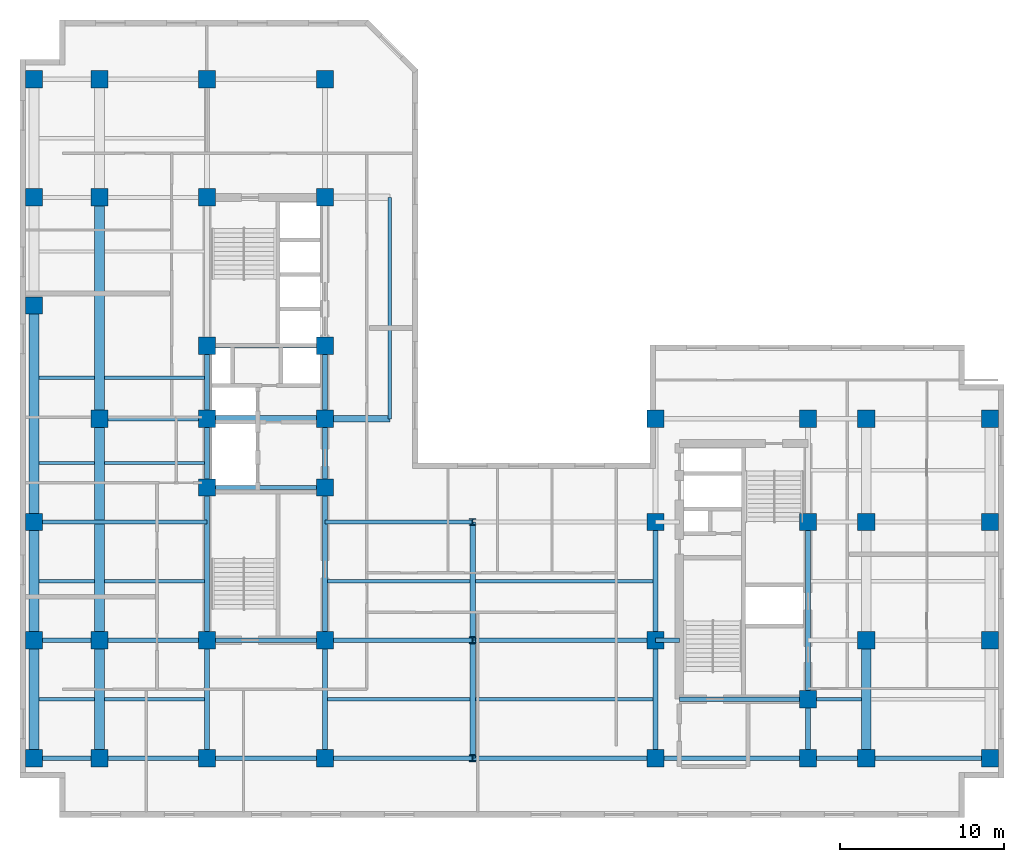
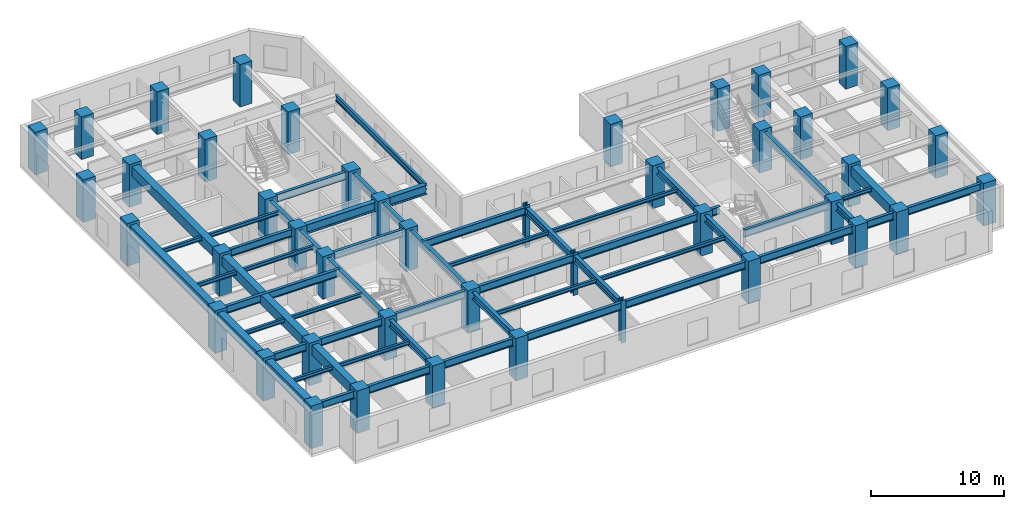
# One storey, part 1 of 10: 56 beams, 44 columns.
"""IFC4 building model written with IfcOpenShell, lengths in metres."""

from ifc_helpers import new_model, entity, si_unit, converted_unit, direction, frame, origin_with_axes, origin_2d_with_axis, place, context, subcontext, project, spatial, rectangle, i_section, extrude, material, material_profile, profile_set, type_object, element, save


model = new_model("IFC4")

# Units and contexts
model_context = context("Model", 3, precision=1e-05, world=origin_with_axes(), true_north=direction((0.0, 1.0)))
body_context = subcontext(model_context, "Body", "Model", "MODEL_VIEW")
ifc_project = project(units=[si_unit("LENGTHUNIT", "METRE"), si_unit("AREAUNIT", "SQUARE_METRE"), si_unit("VOLUMEUNIT", "CUBIC_METRE"), converted_unit("PLANEANGLEUNIT", "DEGREE", entity("IfcPlaneAngleMeasure", 0.017453292519943295), si_unit("PLANEANGLEUNIT", "RADIAN"), dimensions=[0, 0, 0, 0, 0, 0, 0]), si_unit("MASSUNIT", "GRAM", prefix="KILO"), si_unit("THERMODYNAMICTEMPERATUREUNIT", "KELVIN")], contexts=[model_context])

# Site, building, storey
site_placement = place(None, origin_with_axes())
site = spatial("IfcSite", under=ifc_project, at=site_placement, CompositionType="ELEMENT")
building_placement = place(site_placement, origin_with_axes())
building = spatial("IfcBuilding", under=site, at=building_placement, Name="Varnlund Millrace Tower", CompositionType="ELEMENT")
storey_placement = place(building_placement, frame((0.0, 0.0, 168.0), z_axis=(0.0, 0.0, 1.0), x_axis=(1.0, 0.0, 0.0)))
storey = spatial("IfcBuildingStorey", under=building, at=storey_placement, Name="L41", CompositionType="ELEMENT", Elevation=168.0)

# Columns
ifc_material_1 = material(Name="Steel ASTM A913 Grade 65", Category="steel")
ifc_material_profile_1 = material_profile(ifc_material_1, i_section(OverallWidth=0.406, OverallDepth=0.416, WebThickness=0.0298, FlangeThickness=0.048, FilletRadius=0.022, at=origin_2d_with_axis()), Name="Steel ASTM A913 Grade 65")
ifc_profile_set_1 = profile_set([ifc_material_profile_1], Name="Steel ASTM A913 Grade 65")
column_type_1 = type_object("IfcColumnType", Name="Type-Col-Int-W14X257", PredefinedType="COLUMN", material=ifc_profile_set_1)
for number, where, z_axis, x_axis, name in (
    (1, (27.6, 3.6, 0.0), (0.0, 0.0, 1.0), (1.0, 0.0, 0.0), "Type-Col-Int-W14X257"),
    (2, (27.6, 10.8, 0.0), (0.0, 0.0, 1.0), (1.0, 0.0, 0.0), "Type-Col-Int-W14X257"),
    (3, (27.6, 18.0, 0.0), (0.0, 0.0, 1.0), (1.0, 0.0, 0.0), "Type-Col-Int-W14X257"),
):
    element("IfcColumn", number, at=place(storey_placement, frame(where, z_axis=z_axis, x_axis=x_axis)), inside=storey, type_object=column_type_1, Name=name, PredefinedType="COLUMN", context=body_context, shape_type="SweptSolid", body=[
        extrude(i_section(OverallWidth=0.406, OverallDepth=0.416, WebThickness=0.0298, FlangeThickness=0.048, FilletRadius=0.022, at=origin_2d_with_axis()), origin_with_axes(), (0.0, 0.0, 1.0), 3.9),
    ])
ifc_material_2 = material(Name="Concrete C70/85", Category="concrete")
ifc_material_profile_2 = material_profile(ifc_material_2, rectangle(XDim=1.05, YDim=1.05, at=origin_2d_with_axis()), Name="Concrete C70/85")
ifc_profile_set_2 = profile_set([ifc_material_profile_2], Name="Concrete C70/85")
column_type_2 = type_object("IfcColumnType", Name="Type-Col-RC1050-C70", PredefinedType="COLUMN", material=ifc_profile_set_2)
for number, where, z_axis, x_axis, name in (
    (4, (11.4, 3.6, 0.0), (0.0, 0.0, 1.0), (1.0, 0.0, 0.0), "Type-Col-RC1050-C70"),
    (5, (11.4, 10.8, 0.0), (0.0, 0.0, 1.0), (1.0, 0.0, 0.0), "Type-Col-RC1050-C70"),
    (6, (11.4, 20.1, 0.0), (0.0, 0.0, 1.0), (1.0, 0.0, 0.0), "Type-Col-RC1050-C70"),
    (7, (11.4, 24.3, 0.0), (0.0, 0.0, 1.0), (1.0, 0.0, 0.0), "Type-Col-RC1050-C70"),
    (8, (11.4, 28.75, 0.0), (0.0, 0.0, 1.0), (1.0, 0.0, 0.0), "Type-Col-RC1050-C70"),
    (9, (11.4, 37.8, 0.0), (0.0, 0.0, 1.0), (1.0, 0.0, 0.0), "Type-Col-RC1050-C70"),
    (10, (11.4, 45.0, 0.0), (0.0, 0.0, 1.0), (1.0, 0.0, 0.0), "Type-Col-RC1050-C70"),
    (11, (18.6, 3.6, 0.0), (0.0, 0.0, 1.0), (1.0, 0.0, 0.0), "Type-Col-RC1050-C70"),
    (12, (18.6, 10.8, 0.0), (0.0, 0.0, 1.0), (1.0, 0.0, 0.0), "Type-Col-RC1050-C70"),
    (13, (18.6, 20.1, 0.0), (0.0, 0.0, 1.0), (1.0, 0.0, 0.0), "Type-Col-RC1050-C70"),
    (14, (18.6, 24.3, 0.0), (0.0, 0.0, 1.0), (1.0, 0.0, 0.0), "Type-Col-RC1050-C70"),
    (15, (18.6, 28.75, 0.0), (0.0, 0.0, 1.0), (1.0, 0.0, 0.0), "Type-Col-RC1050-C70"),
    (16, (18.6, 37.8, 0.0), (0.0, 0.0, 1.0), (1.0, 0.0, 0.0), "Type-Col-RC1050-C70"),
    (17, (18.6, 45.0, 0.0), (0.0, 0.0, 1.0), (1.0, 0.0, 0.0), "Type-Col-RC1050-C70"),
    (18, (4.85, 3.6, 0.0), (0.0, 0.0, 1.0), (1.0, 0.0, 0.0), "Type-Col-RC1050-C70"),
    (19, (4.85, 10.8, 0.0), (0.0, 0.0, 1.0), (1.0, 0.0, 0.0), "Type-Col-RC1050-C70"),
    (20, (4.85, 24.3, 0.0), (0.0, 0.0, 1.0), (1.0, 0.0, 0.0), "Type-Col-RC1050-C70"),
    (21, (4.85, 37.8, 0.0), (0.0, 0.0, 1.0), (1.0, 0.0, 0.0), "Type-Col-RC1050-C70"),
    (22, (4.85, 45.0, 0.0), (0.0, 0.0, 1.0), (1.0, 0.0, 0.0), "Type-Col-RC1050-C70"),
    (23, (0.85, 3.6, 0.0), (0.0, 0.0, 1.0), (1.0, 0.0, 0.0), "Type-Col-RC1050-C70"),
    (24, (0.85, 10.8, 0.0), (0.0, 0.0, 1.0), (1.0, 0.0, 0.0), "Type-Col-RC1050-C70"),
    (25, (0.85, 18.0, 0.0), (0.0, 0.0, 1.0), (1.0, 0.0, 0.0), "Type-Col-RC1050-C70"),
    (26, (0.85, 31.2, 0.0), (0.0, 0.0, 1.0), (1.0, 0.0, 0.0), "Type-Col-RC1050-C70"),
    (27, (0.85, 37.8, 0.0), (0.0, 0.0, 1.0), (1.0, 0.0, 0.0), "Type-Col-RC1050-C70"),
    (28, (0.85, 45.0, 0.0), (0.0, 0.0, 1.0), (1.0, 0.0, 0.0), "Type-Col-RC1050-C70"),
    (29, (38.75, 3.6, 0.0), (0.0, 0.0, 1.0), (1.0, 0.0, 0.0), "Type-Col-RC1050-C70"),
    (30, (38.75, 10.8, 0.0), (0.0, 0.0, 1.0), (1.0, 0.0, 0.0), "Type-Col-RC1050-C70"),
    (31, (38.75, 18.0, 0.0), (0.0, 0.0, 1.0), (1.0, 0.0, 0.0), "Type-Col-RC1050-C70"),
    (32, (38.75, 24.3, 0.0), (0.0, 0.0, 1.0), (1.0, 0.0, 0.0), "Type-Col-RC1050-C70"),
    (33, (48.05, 3.6, 0.0), (0.0, 0.0, 1.0), (1.0, 0.0, 0.0), "Type-Col-RC1050-C70"),
    (34, (48.05, 7.2, 0.0), (0.0, 0.0, 1.0), (1.0, 0.0, 0.0), "Type-Col-RC1050-C70"),
    (35, (48.05, 18.0, 0.0), (0.0, 0.0, 1.0), (1.0, 0.0, 0.0), "Type-Col-RC1050-C70"),
    (36, (48.05, 24.3, 0.0), (0.0, 0.0, 1.0), (1.0, 0.0, 0.0), "Type-Col-RC1050-C70"),
    (37, (51.6, 3.6, 0.0), (0.0, 0.0, 1.0), (1.0, 0.0, 0.0), "Type-Col-RC1050-C70"),
    (38, (51.6, 10.8, 0.0), (0.0, 0.0, 1.0), (1.0, 0.0, 0.0), "Type-Col-RC1050-C70"),
    (39, (51.6, 18.0, 0.0), (0.0, 0.0, 1.0), (1.0, 0.0, 0.0), "Type-Col-RC1050-C70"),
    (40, (51.6, 24.3, 0.0), (0.0, 0.0, 1.0), (1.0, 0.0, 0.0), "Type-Col-RC1050-C70"),
    (41, (59.15, 3.6, 0.0), (0.0, 0.0, 1.0), (1.0, 0.0, 0.0), "Type-Col-RC1050-C70"),
    (42, (59.15, 10.8, 0.0), (0.0, 0.0, 1.0), (1.0, 0.0, 0.0), "Type-Col-RC1050-C70"),
    (43, (59.15, 18.0, 0.0), (0.0, 0.0, 1.0), (1.0, 0.0, 0.0), "Type-Col-RC1050-C70"),
    (44, (59.15, 24.3, 0.0), (0.0, 0.0, 1.0), (1.0, 0.0, 0.0), "Type-Col-RC1050-C70"),
):
    element("IfcColumn", number, at=place(storey_placement, frame(where, z_axis=z_axis, x_axis=x_axis)), inside=storey, type_object=column_type_2, Name=name, PredefinedType="COLUMN", context=body_context, shape_type="SweptSolid", body=[
        extrude(rectangle(XDim=1.05, YDim=1.05, at=origin_2d_with_axis()), origin_with_axes(), (0.0, 0.0, 1.0), 3.9),
    ])

# Beams
ifc_material_3 = material(Name="Steel ASTM A992 Grade 50", Category="steel")
ifc_material_profile_3 = material_profile(ifc_material_3, i_section(OverallWidth=0.209, OverallDepth=0.533, WebThickness=0.0102, FlangeThickness=0.0156, FilletRadius=0.014, at=origin_2d_with_axis()), Name="Steel ASTM A992 Grade 50")
ifc_profile_set_3 = profile_set([ifc_material_profile_3], Name="Steel ASTM A992 Grade 50")
beam_type_1 = type_object("IfcBeamType", Name="Type-Beam-W21X62", PredefinedType="BEAM", material=ifc_profile_set_3)
beam_1_placement = place(storey_placement, frame((22.55, 24.3, 3.3935), z_axis=(0.0, 1.0, 0.0), x_axis=(-1.0, 0.0, 0.0)))
element("IfcBeam", 45, at=beam_1_placement, inside=storey, type_object=beam_type_1, Name="Type-Beam-W21X62", PredefinedType="BEAM", context=body_context, shape_type="SweptSolid", body=[
    extrude(i_section(OverallWidth=0.209, OverallDepth=0.533, WebThickness=0.0102, FlangeThickness=0.0156, FilletRadius=0.014, at=origin_2d_with_axis()), origin_with_axes(), (0.0, 0.0, 1.0), 13.5),
])
ifc_material_profile_4 = material_profile(ifc_material_3, i_section(OverallWidth=0.328, OverallDepth=0.628, WebThickness=0.0165, FlangeThickness=0.0277, FilletRadius=0.018, at=origin_2d_with_axis()), Name="Steel ASTM A992 Grade 50")
ifc_profile_set_4 = profile_set([ifc_material_profile_4], Name="Steel ASTM A992 Grade 50")
beam_type_2 = type_object("IfcBeamType", Name="Type-Girder-W24X146", PredefinedType="USERDEFINED", material=ifc_profile_set_4)
beam_2_placement = place(storey_placement, frame((11.4, 3.6, 3.346), z_axis=(0.0, 1.0, 0.0), x_axis=(-1.0, 0.0, 0.0)))
element("IfcBeam", 46, at=beam_2_placement, inside=storey, type_object=beam_type_2, Name="Type-Girder-W24X146", ObjectType="GIRDER", PredefinedType="USERDEFINED", context=body_context, shape_type="SweptSolid", body=[
    extrude(i_section(OverallWidth=0.328, OverallDepth=0.628, WebThickness=0.0165, FlangeThickness=0.0277, FilletRadius=0.018, at=origin_2d_with_axis()), origin_with_axes(), (0.0, 0.0, 1.0), 7.2),
])
beam_3_placement = place(storey_placement, frame((11.4, 10.8, 3.346), z_axis=(0.0, 1.0, 0.0), x_axis=(-1.0, 0.0, 0.0)))
element("IfcBeam", 47, at=beam_3_placement, inside=storey, type_object=beam_type_2, Name="Type-Girder-W24X146", ObjectType="GIRDER", PredefinedType="USERDEFINED", context=body_context, shape_type="SweptSolid", body=[
    extrude(i_section(OverallWidth=0.328, OverallDepth=0.628, WebThickness=0.0165, FlangeThickness=0.0277, FilletRadius=0.018, at=origin_2d_with_axis()), origin_with_axes(), (0.0, 0.0, 1.0), 9.3),
])
beam_4_placement = place(storey_placement, frame((11.4, 20.1, 3.346), z_axis=(0.0, 1.0, 0.0), x_axis=(-1.0, 0.0, 0.0)))
element("IfcBeam", 48, at=beam_4_placement, inside=storey, type_object=beam_type_2, Name="Type-Girder-W24X146", ObjectType="GIRDER", PredefinedType="USERDEFINED", context=body_context, shape_type="SweptSolid", body=[
    extrude(i_section(OverallWidth=0.328, OverallDepth=0.628, WebThickness=0.0165, FlangeThickness=0.0277, FilletRadius=0.018, at=origin_2d_with_axis()), origin_with_axes(), (0.0, 0.0, 1.0), 4.2),
])
beam_5_placement = place(storey_placement, frame((11.4, 24.3, 3.346), z_axis=(0.0, 1.0, 0.0), x_axis=(-1.0, 0.0, 0.0)))
element("IfcBeam", 49, at=beam_5_placement, inside=storey, type_object=beam_type_2, Name="Type-Girder-W24X146", ObjectType="GIRDER", PredefinedType="USERDEFINED", context=body_context, shape_type="SweptSolid", body=[
    extrude(i_section(OverallWidth=0.328, OverallDepth=0.628, WebThickness=0.0165, FlangeThickness=0.0277, FilletRadius=0.018, at=origin_2d_with_axis()), origin_with_axes(), (0.0, 0.0, 1.0), 4.45),
])
beam_6_placement = place(storey_placement, frame((18.6, 3.6, 3.346), z_axis=(0.0, 1.0, 0.0), x_axis=(-1.0, 0.0, 0.0)))
element("IfcBeam", 50, at=beam_6_placement, inside=storey, type_object=beam_type_2, Name="Type-Girder-W24X146", ObjectType="GIRDER", PredefinedType="USERDEFINED", context=body_context, shape_type="SweptSolid", body=[
    extrude(i_section(OverallWidth=0.328, OverallDepth=0.628, WebThickness=0.0165, FlangeThickness=0.0277, FilletRadius=0.018, at=origin_2d_with_axis()), origin_with_axes(), (0.0, 0.0, 1.0), 7.2),
])
beam_7_placement = place(storey_placement, frame((18.6, 10.8, 3.346), z_axis=(0.0, 1.0, 0.0), x_axis=(-1.0, 0.0, 0.0)))
element("IfcBeam", 51, at=beam_7_placement, inside=storey, type_object=beam_type_2, Name="Type-Girder-W24X146", ObjectType="GIRDER", PredefinedType="USERDEFINED", context=body_context, shape_type="SweptSolid", body=[
    extrude(i_section(OverallWidth=0.328, OverallDepth=0.628, WebThickness=0.0165, FlangeThickness=0.0277, FilletRadius=0.018, at=origin_2d_with_axis()), origin_with_axes(), (0.0, 0.0, 1.0), 9.3),
])
beam_8_placement = place(storey_placement, frame((18.6, 20.1, 3.346), z_axis=(0.0, 1.0, 0.0), x_axis=(-1.0, 0.0, 0.0)))
element("IfcBeam", 52, at=beam_8_placement, inside=storey, type_object=beam_type_2, Name="Type-Girder-W24X146", ObjectType="GIRDER", PredefinedType="USERDEFINED", context=body_context, shape_type="SweptSolid", body=[
    extrude(i_section(OverallWidth=0.328, OverallDepth=0.628, WebThickness=0.0165, FlangeThickness=0.0277, FilletRadius=0.018, at=origin_2d_with_axis()), origin_with_axes(), (0.0, 0.0, 1.0), 4.2),
])
beam_9_placement = place(storey_placement, frame((18.6, 24.3, 3.346), z_axis=(0.0, 1.0, 0.0), x_axis=(-1.0, 0.0, 0.0)))
element("IfcBeam", 53, at=beam_9_placement, inside=storey, type_object=beam_type_2, Name="Type-Girder-W24X146", ObjectType="GIRDER", PredefinedType="USERDEFINED", context=body_context, shape_type="SweptSolid", body=[
    extrude(i_section(OverallWidth=0.328, OverallDepth=0.628, WebThickness=0.0165, FlangeThickness=0.0277, FilletRadius=0.018, at=origin_2d_with_axis()), origin_with_axes(), (0.0, 0.0, 1.0), 4.45),
])
for number, where, z_axis, x_axis, name in (
    (54, (27.6, 3.6, 3.346), (0.0, 1.0, 0.0), (-1.0, 0.0, 0.0), "Type-Girder-W24X146"),
    (55, (27.6, 10.8, 3.346), (0.0, 1.0, 0.0), (-1.0, 0.0, 0.0), "Type-Girder-W24X146"),
    (56, (38.75, 3.6, 3.346), (0.0, 1.0, 0.0), (-1.0, 0.0, 0.0), "Type-Girder-W24X146"),
    (57, (38.75, 10.8, 3.346), (0.0, 1.0, 0.0), (-1.0, 0.0, 0.0), "Type-Girder-W24X146"),
):
    element("IfcBeam", number, at=place(storey_placement, frame(where, z_axis=z_axis, x_axis=x_axis)), inside=storey, type_object=beam_type_2, Name=name, ObjectType="GIRDER", PredefinedType="USERDEFINED", context=body_context, shape_type="SweptSolid", body=[
        extrude(i_section(OverallWidth=0.328, OverallDepth=0.628, WebThickness=0.0165, FlangeThickness=0.0277, FilletRadius=0.018, at=origin_2d_with_axis()), origin_with_axes(), (0.0, 0.0, 1.0), 7.2),
    ])
beam_10_placement = place(storey_placement, frame((48.05, 3.6, 3.346), z_axis=(0.0, 1.0, 0.0), x_axis=(-1.0, 0.0, 0.0)))
element("IfcBeam", 58, at=beam_10_placement, inside=storey, type_object=beam_type_2, Name="Type-Girder-W24X146", ObjectType="GIRDER", PredefinedType="USERDEFINED", context=body_context, shape_type="SweptSolid", body=[
    extrude(i_section(OverallWidth=0.328, OverallDepth=0.628, WebThickness=0.0165, FlangeThickness=0.0277, FilletRadius=0.018, at=origin_2d_with_axis()), origin_with_axes(), (0.0, 0.0, 1.0), 3.6),
])
beam_11_placement = place(storey_placement, frame((48.05, 7.2, 3.346), z_axis=(0.0, 1.0, 0.0), x_axis=(-1.0, 0.0, 0.0)))
element("IfcBeam", 59, at=beam_11_placement, inside=storey, type_object=beam_type_2, Name="Type-Girder-W24X146", ObjectType="GIRDER", PredefinedType="USERDEFINED", context=body_context, shape_type="SweptSolid", body=[
    extrude(i_section(OverallWidth=0.328, OverallDepth=0.628, WebThickness=0.0165, FlangeThickness=0.0277, FilletRadius=0.018, at=origin_2d_with_axis()), origin_with_axes(), (0.0, 0.0, 1.0), 10.8),
])
ifc_material_profile_5 = material_profile(ifc_material_3, i_section(OverallWidth=0.256, OverallDepth=0.693, WebThickness=0.0145, FlangeThickness=0.0236, FilletRadius=0.018, at=origin_2d_with_axis()), Name="Steel ASTM A992 Grade 50")
ifc_profile_set_5 = profile_set([ifc_material_profile_5], Name="Steel ASTM A992 Grade 50")
beam_type_3 = type_object("IfcBeamType", Name="Type-Girder-W27X114", PredefinedType="USERDEFINED", material=ifc_profile_set_5)
beam_12_placement = place(storey_placement, frame((0.85, 3.6, 3.3135), z_axis=(1.0, 0.0, 0.0), x_axis=(0.0, 1.0, 0.0)))
element("IfcBeam", 60, at=beam_12_placement, inside=storey, type_object=beam_type_3, Name="Type-Girder-W27X114", ObjectType="GIRDER", PredefinedType="USERDEFINED", context=body_context, shape_type="SweptSolid", body=[
    extrude(i_section(OverallWidth=0.256, OverallDepth=0.693, WebThickness=0.0145, FlangeThickness=0.0236, FilletRadius=0.018, at=origin_2d_with_axis()), origin_with_axes(), (0.0, 0.0, 1.0), 4.0),
])
beam_13_placement = place(storey_placement, frame((4.85, 3.6, 3.3135), z_axis=(1.0, 0.0, 0.0), x_axis=(0.0, 1.0, 0.0)))
element("IfcBeam", 61, at=beam_13_placement, inside=storey, type_object=beam_type_3, Name="Type-Girder-W27X114", ObjectType="GIRDER", PredefinedType="USERDEFINED", context=body_context, shape_type="SweptSolid", body=[
    extrude(i_section(OverallWidth=0.256, OverallDepth=0.693, WebThickness=0.0145, FlangeThickness=0.0236, FilletRadius=0.018, at=origin_2d_with_axis()), origin_with_axes(), (0.0, 0.0, 1.0), 6.55),
])
beam_14_placement = place(storey_placement, frame((11.4, 3.6, 3.3135), z_axis=(1.0, 0.0, 0.0), x_axis=(0.0, 1.0, 0.0)))
element("IfcBeam", 62, at=beam_14_placement, inside=storey, type_object=beam_type_3, Name="Type-Girder-W27X114", ObjectType="GIRDER", PredefinedType="USERDEFINED", context=body_context, shape_type="SweptSolid", body=[
    extrude(i_section(OverallWidth=0.256, OverallDepth=0.693, WebThickness=0.0145, FlangeThickness=0.0236, FilletRadius=0.018, at=origin_2d_with_axis()), origin_with_axes(), (0.0, 0.0, 1.0), 7.2),
])
beam_15_placement = place(storey_placement, frame((18.6, 3.6, 3.3135), z_axis=(1.0, 0.0, 0.0), x_axis=(0.0, 1.0, 0.0)))
element("IfcBeam", 63, at=beam_15_placement, inside=storey, type_object=beam_type_3, Name="Type-Girder-W27X114", ObjectType="GIRDER", PredefinedType="USERDEFINED", context=body_context, shape_type="SweptSolid", body=[
    extrude(i_section(OverallWidth=0.256, OverallDepth=0.693, WebThickness=0.0145, FlangeThickness=0.0236, FilletRadius=0.018, at=origin_2d_with_axis()), origin_with_axes(), (0.0, 0.0, 1.0), 9.0),
])
beam_16_placement = place(storey_placement, frame((27.6, 3.6, 3.3135), z_axis=(1.0, 0.0, 0.0), x_axis=(0.0, 1.0, 0.0)))
element("IfcBeam", 64, at=beam_16_placement, inside=storey, type_object=beam_type_3, Name="Type-Girder-W27X114", ObjectType="GIRDER", PredefinedType="USERDEFINED", context=body_context, shape_type="SweptSolid", body=[
    extrude(i_section(OverallWidth=0.256, OverallDepth=0.693, WebThickness=0.0145, FlangeThickness=0.0236, FilletRadius=0.018, at=origin_2d_with_axis()), origin_with_axes(), (0.0, 0.0, 1.0), 11.15),
])
beam_17_placement = place(storey_placement, frame((38.75, 3.6, 3.3135), z_axis=(1.0, 0.0, 0.0), x_axis=(0.0, 1.0, 0.0)))
element("IfcBeam", 65, at=beam_17_placement, inside=storey, type_object=beam_type_3, Name="Type-Girder-W27X114", ObjectType="GIRDER", PredefinedType="USERDEFINED", context=body_context, shape_type="SweptSolid", body=[
    extrude(i_section(OverallWidth=0.256, OverallDepth=0.693, WebThickness=0.0145, FlangeThickness=0.0236, FilletRadius=0.018, at=origin_2d_with_axis()), origin_with_axes(), (0.0, 0.0, 1.0), 9.3),
])
beam_18_placement = place(storey_placement, frame((48.05, 3.6, 3.3135), z_axis=(1.0, 0.0, 0.0), x_axis=(0.0, 1.0, 0.0)))
element("IfcBeam", 66, at=beam_18_placement, inside=storey, type_object=beam_type_3, Name="Type-Girder-W27X114", ObjectType="GIRDER", PredefinedType="USERDEFINED", context=body_context, shape_type="SweptSolid", body=[
    extrude(i_section(OverallWidth=0.256, OverallDepth=0.693, WebThickness=0.0145, FlangeThickness=0.0236, FilletRadius=0.018, at=origin_2d_with_axis()), origin_with_axes(), (0.0, 0.0, 1.0), 3.55),
])
beam_19_placement = place(storey_placement, frame((51.6, 3.6, 3.3135), z_axis=(1.0, 0.0, 0.0), x_axis=(0.0, 1.0, 0.0)))
element("IfcBeam", 67, at=beam_19_placement, inside=storey, type_object=beam_type_3, Name="Type-Girder-W27X114", ObjectType="GIRDER", PredefinedType="USERDEFINED", context=body_context, shape_type="SweptSolid", body=[
    extrude(i_section(OverallWidth=0.256, OverallDepth=0.693, WebThickness=0.0145, FlangeThickness=0.0236, FilletRadius=0.018, at=origin_2d_with_axis()), origin_with_axes(), (0.0, 0.0, 1.0), 7.55),
])
beam_20_placement = place(storey_placement, frame((40.2, 7.2, 3.3135), z_axis=(1.0, 0.0, 0.0), x_axis=(0.0, 1.0, 0.0)))
element("IfcBeam", 68, at=beam_20_placement, inside=storey, type_object=beam_type_3, Name="Type-Girder-W27X114", ObjectType="GIRDER", PredefinedType="USERDEFINED", context=body_context, shape_type="SweptSolid", body=[
    extrude(i_section(OverallWidth=0.256, OverallDepth=0.693, WebThickness=0.0145, FlangeThickness=0.0236, FilletRadius=0.018, at=origin_2d_with_axis()), origin_with_axes(), (0.0, 0.0, 1.0), 7.85),
])
beam_21_placement = place(storey_placement, frame((0.85, 10.8, 3.3135), z_axis=(1.0, 0.0, 0.0), x_axis=(0.0, 1.0, 0.0)))
element("IfcBeam", 69, at=beam_21_placement, inside=storey, type_object=beam_type_3, Name="Type-Girder-W27X114", ObjectType="GIRDER", PredefinedType="USERDEFINED", context=body_context, shape_type="SweptSolid", body=[
    extrude(i_section(OverallWidth=0.256, OverallDepth=0.693, WebThickness=0.0145, FlangeThickness=0.0236, FilletRadius=0.018, at=origin_2d_with_axis()), origin_with_axes(), (0.0, 0.0, 1.0), 4.0),
])
beam_22_placement = place(storey_placement, frame((4.85, 10.8, 3.3135), z_axis=(1.0, 0.0, 0.0), x_axis=(0.0, 1.0, 0.0)))
element("IfcBeam", 70, at=beam_22_placement, inside=storey, type_object=beam_type_3, Name="Type-Girder-W27X114", ObjectType="GIRDER", PredefinedType="USERDEFINED", context=body_context, shape_type="SweptSolid", body=[
    extrude(i_section(OverallWidth=0.256, OverallDepth=0.693, WebThickness=0.0145, FlangeThickness=0.0236, FilletRadius=0.018, at=origin_2d_with_axis()), origin_with_axes(), (0.0, 0.0, 1.0), 6.55),
])
beam_23_placement = place(storey_placement, frame((11.4, 10.8, 3.3135), z_axis=(1.0, 0.0, 0.0), x_axis=(0.0, 1.0, 0.0)))
element("IfcBeam", 71, at=beam_23_placement, inside=storey, type_object=beam_type_3, Name="Type-Girder-W27X114", ObjectType="GIRDER", PredefinedType="USERDEFINED", context=body_context, shape_type="SweptSolid", body=[
    extrude(i_section(OverallWidth=0.256, OverallDepth=0.693, WebThickness=0.0145, FlangeThickness=0.0236, FilletRadius=0.018, at=origin_2d_with_axis()), origin_with_axes(), (0.0, 0.0, 1.0), 7.2),
])
beam_24_placement = place(storey_placement, frame((18.6, 10.8, 3.3135), z_axis=(1.0, 0.0, 0.0), x_axis=(0.0, 1.0, 0.0)))
element("IfcBeam", 72, at=beam_24_placement, inside=storey, type_object=beam_type_3, Name="Type-Girder-W27X114", ObjectType="GIRDER", PredefinedType="USERDEFINED", context=body_context, shape_type="SweptSolid", body=[
    extrude(i_section(OverallWidth=0.256, OverallDepth=0.693, WebThickness=0.0145, FlangeThickness=0.0236, FilletRadius=0.018, at=origin_2d_with_axis()), origin_with_axes(), (0.0, 0.0, 1.0), 9.0),
])
beam_25_placement = place(storey_placement, frame((27.6, 10.8, 3.3135), z_axis=(1.0, 0.0, 0.0), x_axis=(0.0, 1.0, 0.0)))
element("IfcBeam", 73, at=beam_25_placement, inside=storey, type_object=beam_type_3, Name="Type-Girder-W27X114", ObjectType="GIRDER", PredefinedType="USERDEFINED", context=body_context, shape_type="SweptSolid", body=[
    extrude(i_section(OverallWidth=0.256, OverallDepth=0.693, WebThickness=0.0145, FlangeThickness=0.0236, FilletRadius=0.018, at=origin_2d_with_axis()), origin_with_axes(), (0.0, 0.0, 1.0), 11.15),
])
beam_26_placement = place(storey_placement, frame((38.75, 10.8, 3.3135), z_axis=(1.0, 0.0, 0.0), x_axis=(0.0, 1.0, 0.0)))
element("IfcBeam", 74, at=beam_26_placement, inside=storey, type_object=beam_type_3, Name="Type-Girder-W27X114", ObjectType="GIRDER", PredefinedType="USERDEFINED", context=body_context, shape_type="SweptSolid", body=[
    extrude(i_section(OverallWidth=0.256, OverallDepth=0.693, WebThickness=0.0145, FlangeThickness=0.0236, FilletRadius=0.018, at=origin_2d_with_axis()), origin_with_axes(), (0.0, 0.0, 1.0), 1.45),
])
beam_27_placement = place(storey_placement, frame((0.85, 18.0, 3.3135), z_axis=(1.0, 0.0, 0.0), x_axis=(0.0, 1.0, 0.0)))
element("IfcBeam", 75, at=beam_27_placement, inside=storey, type_object=beam_type_3, Name="Type-Girder-W27X114", ObjectType="GIRDER", PredefinedType="USERDEFINED", context=body_context, shape_type="SweptSolid", body=[
    extrude(i_section(OverallWidth=0.256, OverallDepth=0.693, WebThickness=0.0145, FlangeThickness=0.0236, FilletRadius=0.018, at=origin_2d_with_axis()), origin_with_axes(), (0.0, 0.0, 1.0), 10.55),
])
beam_28_placement = place(storey_placement, frame((18.6, 18.0, 3.3135), z_axis=(1.0, 0.0, 0.0), x_axis=(0.0, 1.0, 0.0)))
element("IfcBeam", 76, at=beam_28_placement, inside=storey, type_object=beam_type_3, Name="Type-Girder-W27X114", ObjectType="GIRDER", PredefinedType="USERDEFINED", context=body_context, shape_type="SweptSolid", body=[
    extrude(i_section(OverallWidth=0.256, OverallDepth=0.693, WebThickness=0.0145, FlangeThickness=0.0236, FilletRadius=0.018, at=origin_2d_with_axis()), origin_with_axes(), (0.0, 0.0, 1.0), 9.0),
])
beam_29_placement = place(storey_placement, frame((11.4, 20.1, 3.3135), z_axis=(1.0, 0.0, 0.0), x_axis=(0.0, 1.0, 0.0)))
element("IfcBeam", 77, at=beam_29_placement, inside=storey, type_object=beam_type_3, Name="Type-Girder-W27X114", ObjectType="GIRDER", PredefinedType="USERDEFINED", context=body_context, shape_type="SweptSolid", body=[
    extrude(i_section(OverallWidth=0.256, OverallDepth=0.693, WebThickness=0.0145, FlangeThickness=0.0236, FilletRadius=0.018, at=origin_2d_with_axis()), origin_with_axes(), (0.0, 0.0, 1.0), 7.2),
])
beam_30_placement = place(storey_placement, frame((4.85, 24.3, 3.3135), z_axis=(1.0, 0.0, 0.0), x_axis=(0.0, 1.0, 0.0)))
element("IfcBeam", 78, at=beam_30_placement, inside=storey, type_object=beam_type_3, Name="Type-Girder-W27X114", ObjectType="GIRDER", PredefinedType="USERDEFINED", context=body_context, shape_type="SweptSolid", body=[
    extrude(i_section(OverallWidth=0.256, OverallDepth=0.693, WebThickness=0.0145, FlangeThickness=0.0236, FilletRadius=0.018, at=origin_2d_with_axis()), origin_with_axes(), (0.0, 0.0, 1.0), 6.55),
])
beam_31_placement = place(storey_placement, frame((11.4, 28.75, 3.3135), z_axis=(1.0, 0.0, 0.0), x_axis=(0.0, 1.0, 0.0)))
element("IfcBeam", 79, at=beam_31_placement, inside=storey, type_object=beam_type_3, Name="Type-Girder-W27X114", ObjectType="GIRDER", PredefinedType="USERDEFINED", context=body_context, shape_type="SweptSolid", body=[
    extrude(i_section(OverallWidth=0.256, OverallDepth=0.693, WebThickness=0.0145, FlangeThickness=0.0236, FilletRadius=0.018, at=origin_2d_with_axis()), origin_with_axes(), (0.0, 0.0, 1.0), 7.2),
])
ifc_material_profile_6 = material_profile(ifc_material_3, i_section(OverallWidth=0.399, OverallDepth=0.855, WebThickness=0.0182, FlangeThickness=0.0292, FilletRadius=0.022, at=origin_2d_with_axis()), Name="Steel ASTM A992 Grade 50")
ifc_profile_set_6 = profile_set([ifc_material_profile_6], Name="Steel ASTM A992 Grade 50")
beam_type_4 = type_object("IfcBeamType", Name="Type-Girder-W33X201", PredefinedType="USERDEFINED", material=ifc_profile_set_6)
beam_32_placement = place(storey_placement, frame((11.4, 24.3, 3.2325), z_axis=(1.0, 0.0, 0.0), x_axis=(0.0, 1.0, 0.0)))
element("IfcBeam", 80, at=beam_32_placement, inside=storey, type_object=beam_type_4, Name="Type-Girder-W33X201", ObjectType="GIRDER", PredefinedType="USERDEFINED", context=body_context, shape_type="SweptSolid", body=[
    extrude(i_section(OverallWidth=0.399, OverallDepth=0.855, WebThickness=0.0182, FlangeThickness=0.0292, FilletRadius=0.022, at=origin_2d_with_axis()), origin_with_axes(), (0.0, 0.0, 1.0), 11.15),
])
ifc_material_profile_7 = material_profile(ifc_material_3, i_section(OverallWidth=0.204, OverallDepth=0.35, WebThickness=0.0086, FlangeThickness=0.0151, FilletRadius=0.013, at=origin_2d_with_axis()), Name="Steel ASTM A992 Grade 50")
ifc_profile_set_7 = profile_set([ifc_material_profile_7], Name="Steel ASTM A992 Grade 50")
beam_type_5 = type_object("IfcBeamType", Name="Type-Joist-W14X48", PredefinedType="JOIST", material=ifc_profile_set_7)
for number, where, z_axis, x_axis, name in (
    (81, (1.15, 7.2, 3.485), (1.0, 0.0, 0.0), (0.0, 1.0, 0.0), "Type-Joist-W14X48"),
    (82, (1.15, 14.4, 3.485), (1.0, 0.0, 0.0), (0.0, 1.0, 0.0), "Type-Joist-W14X48"),
    (83, (1.15, 21.6, 3.485), (1.0, 0.0, 0.0), (0.0, 1.0, 0.0), "Type-Joist-W14X48"),
    (84, (1.15, 26.8, 3.485), (1.0, 0.0, 0.0), (0.0, 1.0, 0.0), "Type-Joist-W14X48"),
):
    element("IfcBeam", number, at=place(storey_placement, frame(where, z_axis=z_axis, x_axis=x_axis)), inside=storey, type_object=beam_type_5, Name=name, PredefinedType="JOIST", context=body_context, shape_type="SweptSolid", body=[
        extrude(i_section(OverallWidth=0.204, OverallDepth=0.35, WebThickness=0.0086, FlangeThickness=0.0151, FilletRadius=0.013, at=origin_2d_with_axis()), origin_with_axes(), (0.0, 0.0, 1.0), 3.4),
    ])
for number, where, z_axis, x_axis, name in (
    (85, (5.15, 7.2, 3.485), (1.0, 0.0, 0.0), (0.0, 1.0, 0.0), "Type-Joist-W14X48"),
    (86, (5.15, 14.4, 3.485), (1.0, 0.0, 0.0), (0.0, 1.0, 0.0), "Type-Joist-W14X48"),
    (87, (5.15, 21.6, 3.485), (1.0, 0.0, 0.0), (0.0, 1.0, 0.0), "Type-Joist-W14X48"),
    (88, (5.15, 26.8, 3.485), (1.0, 0.0, 0.0), (0.0, 1.0, 0.0), "Type-Joist-W14X48"),
):
    element("IfcBeam", number, at=place(storey_placement, frame(where, z_axis=z_axis, x_axis=x_axis)), inside=storey, type_object=beam_type_5, Name=name, PredefinedType="JOIST", context=body_context, shape_type="SweptSolid", body=[
        extrude(i_section(OverallWidth=0.204, OverallDepth=0.35, WebThickness=0.0086, FlangeThickness=0.0151, FilletRadius=0.013, at=origin_2d_with_axis()), origin_with_axes(), (0.0, 0.0, 1.0), 6.086),
    ])
beam_33_placement = place(storey_placement, frame((48.214, 7.2, 3.485), z_axis=(1.0, 0.0, 0.0), x_axis=(0.0, 1.0, 0.0)))
element("IfcBeam", 89, at=beam_33_placement, inside=storey, type_object=beam_type_5, Name="Type-Joist-W14X48", PredefinedType="JOIST", context=body_context, shape_type="SweptSolid", body=[
    extrude(i_section(OverallWidth=0.204, OverallDepth=0.35, WebThickness=0.0086, FlangeThickness=0.0151, FilletRadius=0.013, at=origin_2d_with_axis()), origin_with_axes(), (0.0, 0.0, 1.0), 3.086),
])
for number, where, z_axis, x_axis, name in (
    (90, (18.764, 7.2, 3.485), (1.0, 0.0, 0.0), (0.0, 1.0, 0.0), "Type-Joist-W14X48"),
    (91, (18.764, 14.4, 3.485), (1.0, 0.0, 0.0), (0.0, 1.0, 0.0), "Type-Joist-W14X48"),
):
    element("IfcBeam", number, at=place(storey_placement, frame(where, z_axis=z_axis, x_axis=x_axis)), inside=storey, type_object=beam_type_5, Name=name, PredefinedType="JOIST", context=body_context, shape_type="SweptSolid", body=[
        extrude(i_section(OverallWidth=0.204, OverallDepth=0.35, WebThickness=0.0086, FlangeThickness=0.0151, FilletRadius=0.013, at=origin_2d_with_axis()), origin_with_axes(), (0.0, 0.0, 1.0), 8.672),
    ])
for number, where, z_axis, x_axis, name in (
    (92, (27.764, 7.2, 3.485), (1.0, 0.0, 0.0), (0.0, 1.0, 0.0), "Type-Joist-W14X48"),
    (93, (27.764, 14.4, 3.485), (1.0, 0.0, 0.0), (0.0, 1.0, 0.0), "Type-Joist-W14X48"),
):
    element("IfcBeam", number, at=place(storey_placement, frame(where, z_axis=z_axis, x_axis=x_axis)), inside=storey, type_object=beam_type_5, Name=name, PredefinedType="JOIST", context=body_context, shape_type="SweptSolid", body=[
        extrude(i_section(OverallWidth=0.204, OverallDepth=0.35, WebThickness=0.0086, FlangeThickness=0.0151, FilletRadius=0.013, at=origin_2d_with_axis()), origin_with_axes(), (0.0, 0.0, 1.0), 10.822),
    ])
ifc_material_profile_8 = material_profile(ifc_material_2, rectangle(XDim=0.6, YDim=0.9, at=origin_2d_with_axis()), Name="Concrete C70/85")
ifc_profile_set_8 = profile_set([ifc_material_profile_8], Name="Concrete C70/85")
beam_type_6 = type_object("IfcBeamType", Name="Type-Spandrel-RC600X900", PredefinedType="SPANDREL", material=ifc_profile_set_8)
for number, where, z_axis, x_axis, name in (
    (94, (0.85, 3.6, 3.21), (0.0, 1.0, 0.0), (-1.0, 0.0, 0.0), "Type-Spandrel-RC600X900"),
    (95, (0.85, 10.8, 3.21), (0.0, 1.0, 0.0), (-1.0, 0.0, 0.0), "Type-Spandrel-RC600X900"),
):
    element("IfcBeam", number, at=place(storey_placement, frame(where, z_axis=z_axis, x_axis=x_axis)), inside=storey, type_object=beam_type_6, Name=name, PredefinedType="SPANDREL", context=body_context, shape_type="SweptSolid", body=[
        extrude(rectangle(XDim=0.6, YDim=0.9, at=origin_2d_with_axis()), origin_with_axes(), (0.0, 0.0, 1.0), 7.2),
    ])
beam_34_placement = place(storey_placement, frame((0.85, 18.0, 3.21), z_axis=(0.0, 1.0, 0.0), x_axis=(-1.0, 0.0, 0.0)))
element("IfcBeam", 96, at=beam_34_placement, inside=storey, type_object=beam_type_6, Name="Type-Spandrel-RC600X900", PredefinedType="SPANDREL", context=body_context, shape_type="SweptSolid", body=[
    extrude(rectangle(XDim=0.6, YDim=0.9, at=origin_2d_with_axis()), origin_with_axes(), (0.0, 0.0, 1.0), 13.2),
])
beam_35_placement = place(storey_placement, frame((4.85, 3.6, 3.21), z_axis=(0.0, 1.0, 0.0), x_axis=(-1.0, 0.0, 0.0)))
element("IfcBeam", 97, at=beam_35_placement, inside=storey, type_object=beam_type_6, Name="Type-Spandrel-RC600X900", PredefinedType="SPANDREL", context=body_context, shape_type="SweptSolid", body=[
    extrude(rectangle(XDim=0.6, YDim=0.9, at=origin_2d_with_axis()), origin_with_axes(), (0.0, 0.0, 1.0), 7.2),
])
for number, where, z_axis, x_axis, name in (
    (98, (4.85, 10.8, 3.21), (0.0, 1.0, 0.0), (-1.0, 0.0, 0.0), "Type-Spandrel-RC600X900"),
    (99, (4.85, 24.3, 3.21), (0.0, 1.0, 0.0), (-1.0, 0.0, 0.0), "Type-Spandrel-RC600X900"),
):
    element("IfcBeam", number, at=place(storey_placement, frame(where, z_axis=z_axis, x_axis=x_axis)), inside=storey, type_object=beam_type_6, Name=name, PredefinedType="SPANDREL", context=body_context, shape_type="SweptSolid", body=[
        extrude(rectangle(XDim=0.6, YDim=0.9, at=origin_2d_with_axis()), origin_with_axes(), (0.0, 0.0, 1.0), 13.5),
    ])
beam_36_placement = place(storey_placement, frame((51.6, 3.6, 3.21), z_axis=(0.0, 1.0, 0.0), x_axis=(-1.0, 0.0, 0.0)))
element("IfcBeam", 100, at=beam_36_placement, inside=storey, type_object=beam_type_6, Name="Type-Spandrel-RC600X900", PredefinedType="SPANDREL", context=body_context, shape_type="SweptSolid", body=[
    extrude(rectangle(XDim=0.6, YDim=0.9, at=origin_2d_with_axis()), origin_with_axes(), (0.0, 0.0, 1.0), 7.2),
])

save(model, "model.ifc")
